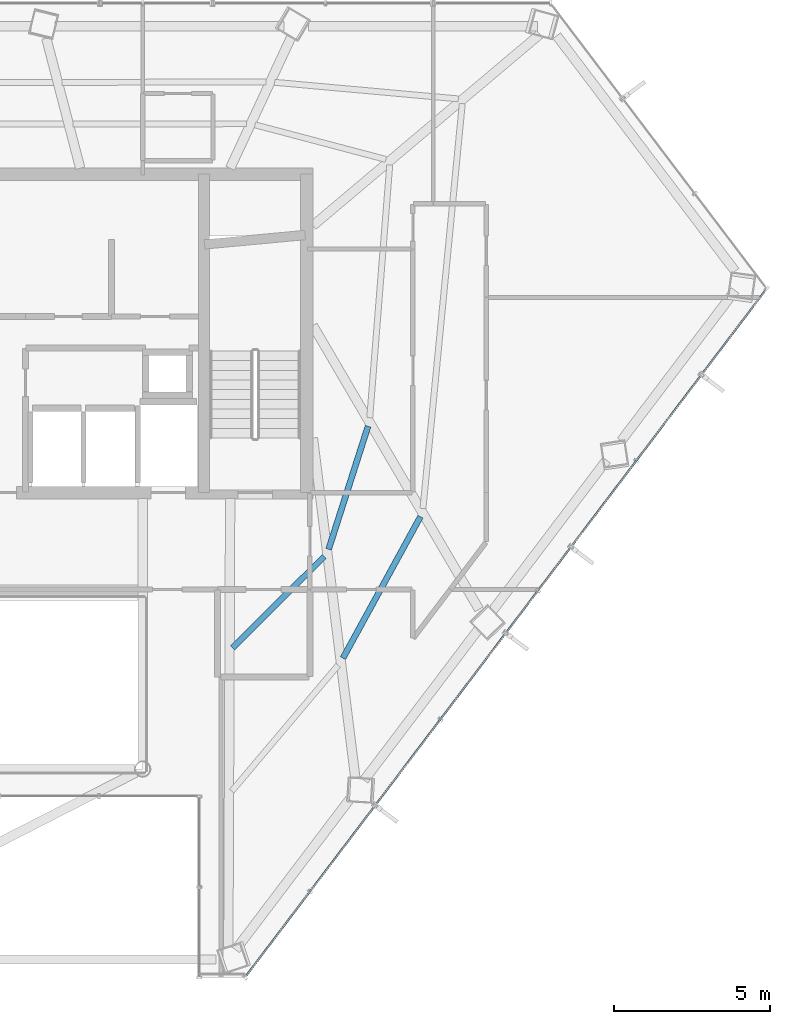
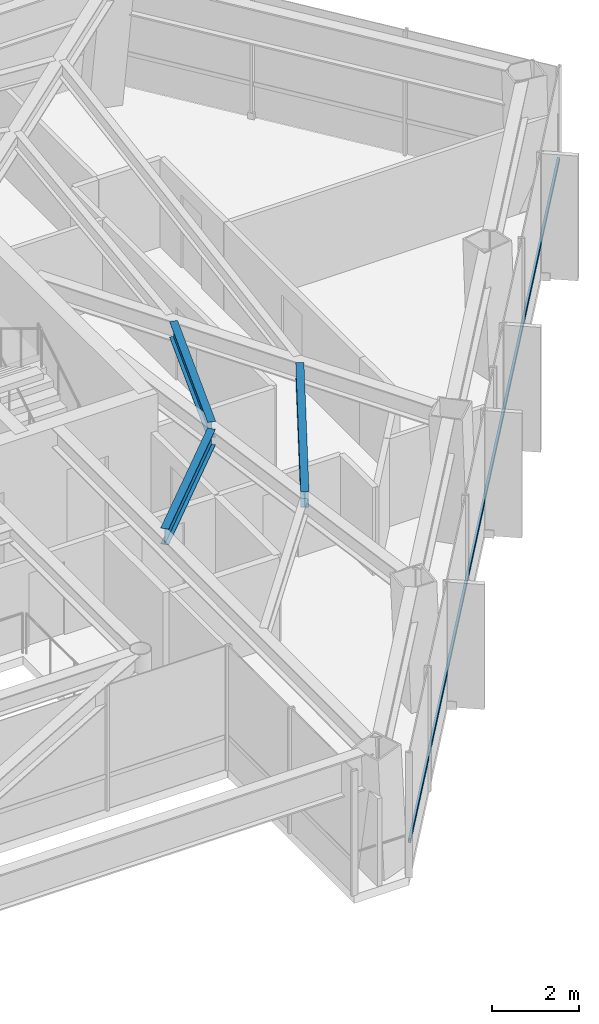
# One storey, part 20 of 30: 3 beams, 1 member, 1 element without a shape of its own.
"""IFC4 building model written with IfcOpenShell, lengths in metres."""

from ifc_helpers import new_model, si_unit, direction, frame, origin, origin_2d, place, context, subcontext, project, spatial, hollow_rectangle, i_section, extrude, material, layer, layer_set, material_profile, profile_set, type_object, element, aggregate, save


model = new_model("IFC4")

# Units and contexts
model_context = context("Model", 3, precision=1e-05, world=origin(), true_north=direction((0.0, 1.0)))
body_context = subcontext(model_context, "Body", "Model", "MODEL_VIEW")
ifc_project = project(units=[si_unit("LENGTHUNIT", "METRE"), si_unit("AREAUNIT", "SQUARE_METRE"), si_unit("VOLUMEUNIT", "CUBIC_METRE"), si_unit("PLANEANGLEUNIT", "RADIAN"), si_unit("MASSUNIT", "GRAM", prefix="KILO")], contexts=[model_context])

# Site, building, storey
site_placement = place(None, origin())
site = spatial("IfcSite", under=ifc_project, at=site_placement, CompositionType="ELEMENT")
building_placement = place(site_placement, origin())
building = spatial("IfcBuilding", under=site, at=building_placement, Name="Zarrinselat Tower", CompositionType="ELEMENT")
storey_placement = place(building_placement, frame((0.0, 0.0, 160.820068359375)))
storey = spatial("IfcBuildingStorey", under=building, at=storey_placement, Name="L39", CompositionType="ELEMENT", Elevation=160.820068359375)

# Beams
ifc_material_1 = material(Name="Steel S355J2", Category="steel")
ifc_material_profile_1 = material_profile(ifc_material_1, i_section(OverallWidth=0.18994140625, OverallDepth=0.449951171875, WebThickness=0.009521484375, FlangeThickness=0.0146484375, at=origin_2d()), Name="IPE 450")
ifc_profile_set_1 = profile_set([ifc_material_profile_1], Name="Steel S355J2")
beam_type = type_object("IfcBeamType", Name="BM-IPE450", PredefinedType="JOIST", material=ifc_profile_set_1)
beam_1_placement = place(storey_placement, frame((45.87890625, 28.2783203125, 3.27490234375), z_axis=(0.707636735664, 0.706576429226, 0.0), x_axis=(-0.706576429226, 0.707636735664, 0.0)))
element("IfcBeam", 1, at=beam_1_placement, inside=storey, type_object=beam_type, Name="L39 Composite Floor Joist 3-2", PredefinedType="JOIST", context=body_context, shape_type="SweptSolid", body=[
    extrude(i_section(OverallWidth=0.18994140625, OverallDepth=0.449951171875, WebThickness=0.009521484375, FlangeThickness=0.0146484375, at=origin_2d()), origin(), (0.0, 0.0, 1.0), 4.14453125),
])
beam_2_placement = place(storey_placement, frame((49.41162109375, 27.951904296875, 3.27490234375), z_axis=(0.480351856177, 0.877075877144, 0.0), x_axis=(-0.877075877144, 0.480351856177, 0.0)))
element("IfcBeam", 2, at=beam_2_placement, inside=storey, type_object=beam_type, Name="L39 Composite Floor Joist 4-1", PredefinedType="JOIST", context=body_context, shape_type="SweptSolid", body=[
    extrude(i_section(OverallWidth=0.18994140625, OverallDepth=0.449951171875, WebThickness=0.009521484375, FlangeThickness=0.0146484375, at=origin_2d()), origin(), (0.0, 0.0, 1.0), 5.164306640625),
])
beam_3_placement = place(storey_placement, frame((48.95361328125, 31.439208984375, 3.27490234375), z_axis=(0.305013469686, 0.952348036859, 0.0), x_axis=(-0.952348036859, 0.305013469686, 0.0)))
element("IfcBeam", 3, at=beam_3_placement, inside=storey, type_object=beam_type, Name="L39 Composite Floor Joist 4-2", PredefinedType="JOIST", context=body_context, shape_type="SweptSolid", body=[
    extrude(i_section(OverallWidth=0.18994140625, OverallDepth=0.449951171875, WebThickness=0.009521484375, FlangeThickness=0.0146484375, at=origin_2d()), origin(), (0.0, 0.0, 1.0), 4.1357421875),
])

# Curtain wall, member
ifc_material_2 = material(Name="Extruded Aluminium Alloy EN AW-6063 T6", Category="aluminium")
ifc_layer = layer(ifc_material_2, 0.175048828125)
ifc_layer_set = layer_set([ifc_layer], Name="Extruded Aluminium Alloy EN AW-6063 T6")
curtain_wall_type = type_object("IfcCurtainWallType", Name="CWS-HTL", PredefinedType="NOTDEFINED", material=ifc_layer_set)
curtain_wall_placement = place(storey_placement, origin())
curtain_wall = element("IfcCurtainWall", 4, at=curtain_wall_placement, inside=storey, type_object=curtain_wall_type, Name="L39 Unitised Curtain Wall CW-L39-E05", PredefinedType="NOTDEFINED")
ifc_material_3 = material(Name="Extruded Aluminium Alloy EN AW-6063 T6", Category="aluminium")
ifc_material_profile_2 = material_profile(ifc_material_3, hollow_rectangle(XDim=0.06005859375, YDim=0.1201171875, WallThickness=0.00390625, at=origin_2d()), Name="RHS 120x60x4")
ifc_profile_set_2 = profile_set([ifc_material_profile_2], Name="Extruded Aluminium Alloy EN AW-6063 T6")
member_type = type_object("IfcMemberType", Name="MEM-CW-TRN2", PredefinedType="USERDEFINED", material=ifc_profile_set_2)
member_placement = place(storey_placement, frame((62.92822265625, 39.714111328125, 0.949951171875), z_axis=(-0.603856833317, -0.797092795637, 0.0), x_axis=(0.797092795637, -0.603856833317, 0.0)))
member = element("IfcMember", 5, at=member_placement, type_object=member_type, Name="CW-L39-E05 Transom 1", ObjectType="TRANSOM", PredefinedType="USERDEFINED", context=body_context, shape_type="SweptSolid", body=[
    extrude(hollow_rectangle(XDim=0.06005859375, YDim=0.1201171875, WallThickness=0.00390625, at=origin_2d()), origin(), (0.0, 0.0, 1.0), 27.49853515625),
])
aggregate(curtain_wall, [member])

save(model, "model.ifc")
